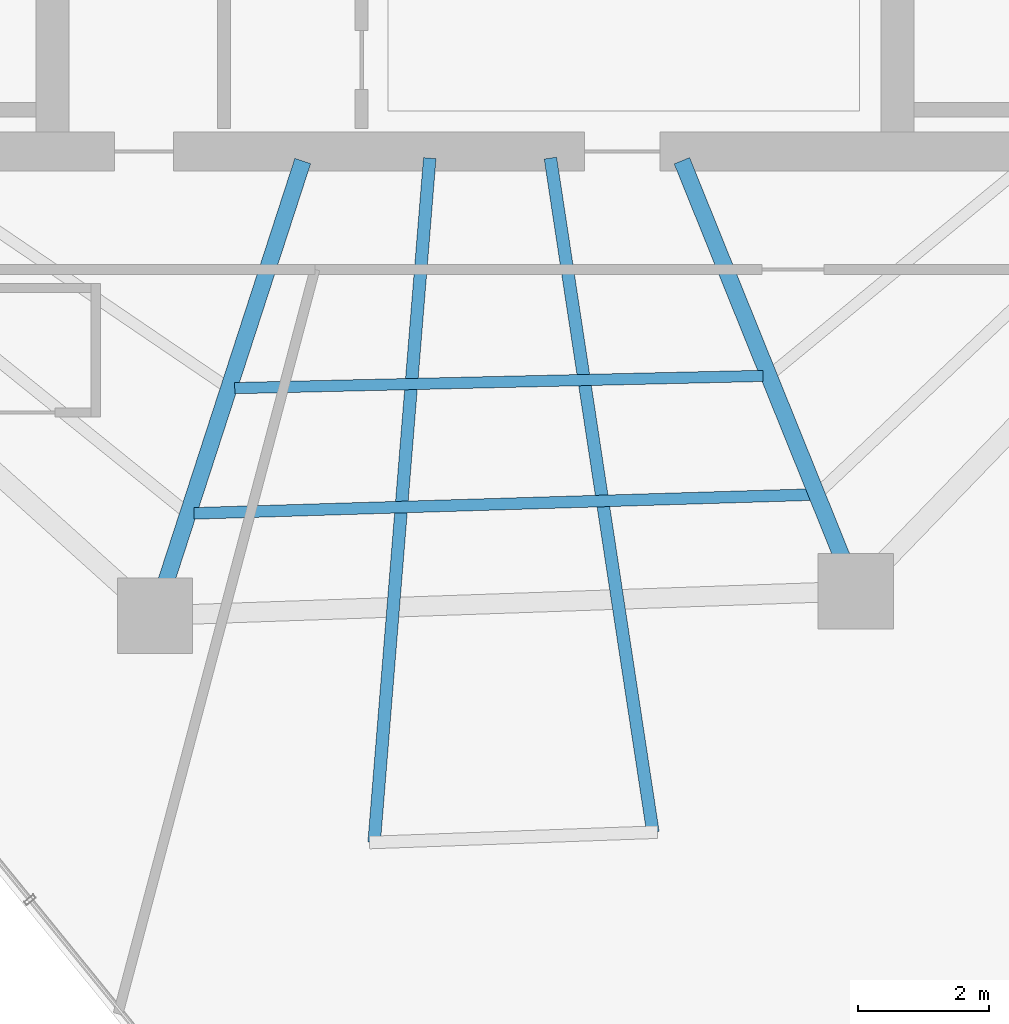
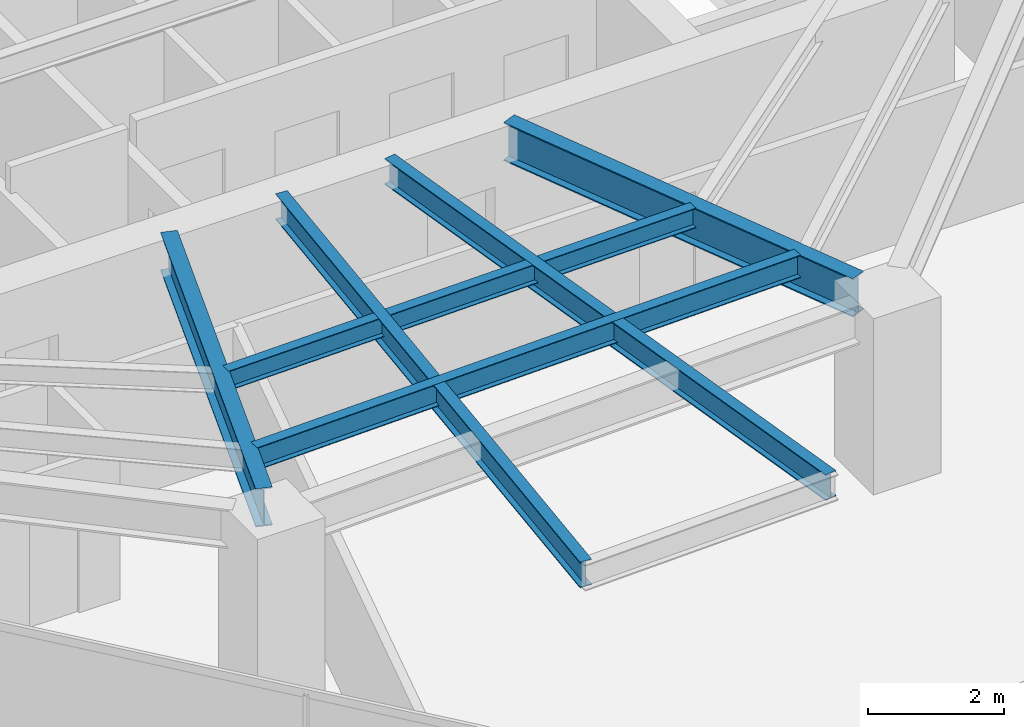
# One storey, part 6 of 27: 6 beams.
"""IFC4 building model written with IfcOpenShell, lengths in metres."""

from ifc_helpers import new_model, si_unit, direction, frame, origin, origin_2d, place, context, subcontext, project, spatial, i_section, extrude, material, material_profile, profile_set, type_object, element, save


model = new_model("IFC4")

# Units and contexts
model_context = context("Model", 3, precision=1e-05, world=origin(), true_north=direction((0.0, 1.0)))
body_context = subcontext(model_context, "Body", "Model", "MODEL_VIEW")
ifc_project = project(units=[si_unit("LENGTHUNIT", "METRE"), si_unit("AREAUNIT", "SQUARE_METRE"), si_unit("VOLUMEUNIT", "CUBIC_METRE"), si_unit("PLANEANGLEUNIT", "RADIAN"), si_unit("MASSUNIT", "GRAM", prefix="KILO")], contexts=[model_context])

# Site, building, storey
site_placement = place(None, origin())
site = spatial("IfcSite", under=ifc_project, at=site_placement, CompositionType="ELEMENT")
building_placement = place(site_placement, origin())
building = spatial("IfcBuilding", under=site, at=building_placement, Name="Qarnah Convention Tower", CompositionType="ELEMENT")
storey_placement = place(building_placement, frame((0.0, 0.0, 100.5)))
storey = spatial("IfcBuildingStorey", under=building, at=storey_placement, Name="L26", CompositionType="ELEMENT", Elevation=100.5)

# Beams
ifc_material = material(Name="Structural steel S355JR", Category="steel")
ifc_material_profile_1 = material_profile(ifc_material, i_section(OverallWidth=0.19189453125, OverallDepth=0.464111328125, WebThickness=0.010986328125, FlangeThickness=0.01806640625, at=origin_2d()), Name="W460X89")
ifc_profile_set_1 = profile_set([ifc_material_profile_1], Name="Structural steel S355JR")
beam_type_1 = type_object("IfcBeamType", Name="BM-CANT-W460A", PredefinedType="BEAM", material=ifc_profile_set_1)
beam_1_placement = place(storey_placement, frame((38.40087890625, 18.5009765625, 2.93798828125), z_axis=(0.150335373551, -0.988635056762, 0.0), x_axis=(0.988635056762, 0.150335373551, 0.0)))
element("IfcBeam", 1, at=beam_1_placement, inside=storey, type_object=beam_type_1, Name="L26 beam BM-L26-CNT-03-1", PredefinedType="BEAM", context=body_context, shape_type="SweptSolid", body=[
    extrude(i_section(OverallWidth=0.19189453125, OverallDepth=0.464111328125, WebThickness=0.010986328125, FlangeThickness=0.01806640625, at=origin_2d()), origin(), (0.0, 0.0, 1.0), 10.411376953125),
])
beam_2_placement = place(storey_placement, frame((36.55908203125, 18.5, 2.93798828125), z_axis=(-0.081026671921, -0.996711933528, 0.0), x_axis=(0.996711933528, -0.081026671921, 0.0)))
element("IfcBeam", 2, at=beam_2_placement, inside=storey, type_object=beam_type_1, Name="L26 beam BM-L26-CNT-03-2", PredefinedType="BEAM", context=body_context, shape_type="SweptSolid", body=[
    extrude(i_section(OverallWidth=0.19189453125, OverallDepth=0.464111328125, WebThickness=0.010986328125, FlangeThickness=0.01806640625, at=origin_2d()), origin(), (0.0, 0.0, 1.0), 10.4794921875),
])
ifc_material_profile_2 = material_profile(ifc_material, i_section(OverallWidth=0.172119140625, OverallDepth=0.35595703125, WebThickness=0.007080078125, FlangeThickness=0.011962890625, at=origin_2d()), Name="W360X51")
ifc_profile_set_2 = profile_set([ifc_material_profile_2], Name="Structural steel S355JR")
beam_type_2 = type_object("IfcBeamType", Name="BM-JST-W360", PredefinedType="JOIST", material=ifc_profile_set_2)
beam_3_placement = place(storey_placement, frame((33.58203125, 14.989013671875, 2.991943359375), z_axis=(0.999731131199, 0.02318761117, 0.0), x_axis=(-0.02318761117, 0.999731131199, 0.0)))
element("IfcBeam", 3, at=beam_3_placement, inside=storey, type_object=beam_type_2, Name="L26 joist BM-L26-IJST-07", PredefinedType="JOIST", context=body_context, shape_type="SweptSolid", body=[
    extrude(i_section(OverallWidth=0.172119140625, OverallDepth=0.35595703125, WebThickness=0.007080078125, FlangeThickness=0.011962890625, at=origin_2d()), origin(), (0.0, 0.0, 1.0), 8.065185546875),
])
ifc_material_profile_3 = material_profile(ifc_material, i_section(OverallWidth=0.177978515625, OverallDepth=0.407958984375, WebThickness=0.008056640625, FlangeThickness=0.012939453125, at=origin_2d()), Name="W410X60")
ifc_profile_set_3 = profile_set([ifc_material_profile_3], Name="Structural steel S355JR")
beam_type_3 = type_object("IfcBeamType", Name="BM-JST-W410", PredefinedType="JOIST", material=ifc_profile_set_3)
beam_4_placement = place(storey_placement, frame((32.9599609375, 13.076904296875, 2.966064453125), z_axis=(0.999538703327, 0.030370718664, 0.0), x_axis=(-0.030370718664, 0.999538703327, 0.0)))
element("IfcBeam", 4, at=beam_4_placement, inside=storey, type_object=beam_type_3, Name="L26 joist BM-L26-SJST-07", PredefinedType="JOIST", context=body_context, shape_type="SweptSolid", body=[
    extrude(i_section(OverallWidth=0.177978515625, OverallDepth=0.407958984375, WebThickness=0.008056640625, FlangeThickness=0.012939453125, at=origin_2d()), origin(), (0.0, 0.0, 1.0), 9.42138671875),
])
ifc_material_profile_4 = material_profile(ifc_material, i_section(OverallWidth=0.25390625, OverallDepth=0.68798828125, WebThickness=0.012939453125, FlangeThickness=0.02099609375, at=origin_2d()), Name="W690X152")
ifc_profile_set_4 = profile_set([ifc_material_profile_4], Name="Structural steel S355JR")
beam_type_4 = type_object("IfcBeamType", Name="BM-RAD-W690", PredefinedType="BEAM", material=ifc_profile_set_4)
beam_5_placement = place(storey_placement, frame((34.6201171875, 18.45703125, 2.825927734375), z_axis=(-0.30908279771, -0.951035132979, 0.0), x_axis=(0.951035132979, -0.30908279771, 0.0)))
element("IfcBeam", 5, at=beam_5_placement, inside=storey, type_object=beam_type_4, Name="L26 beam BM-L26-RAD-07", PredefinedType="BEAM", context=body_context, shape_type="SweptSolid", body=[
    extrude(i_section(OverallWidth=0.25390625, OverallDepth=0.68798828125, WebThickness=0.012939453125, FlangeThickness=0.02099609375, at=origin_2d()), origin(), (0.0, 0.0, 1.0), 6.7431640625),
])
beam_6_placement = place(storey_placement, frame((40.407958984375, 18.4609375, 2.825927734375), z_axis=(0.374642886347, -0.927169190445, 0.0), x_axis=(0.927169190445, 0.374642886347, 0.0)))
element("IfcBeam", 6, at=beam_6_placement, inside=storey, type_object=beam_type_4, Name="L26 beam BM-L26-RAD-08", PredefinedType="BEAM", context=body_context, shape_type="SweptSolid", body=[
    extrude(i_section(OverallWidth=0.25390625, OverallDepth=0.68798828125, WebThickness=0.012939453125, FlangeThickness=0.02099609375, at=origin_2d()), origin(), (0.0, 0.0, 1.0), 6.531494140625),
])

save(model, "model.ifc")
